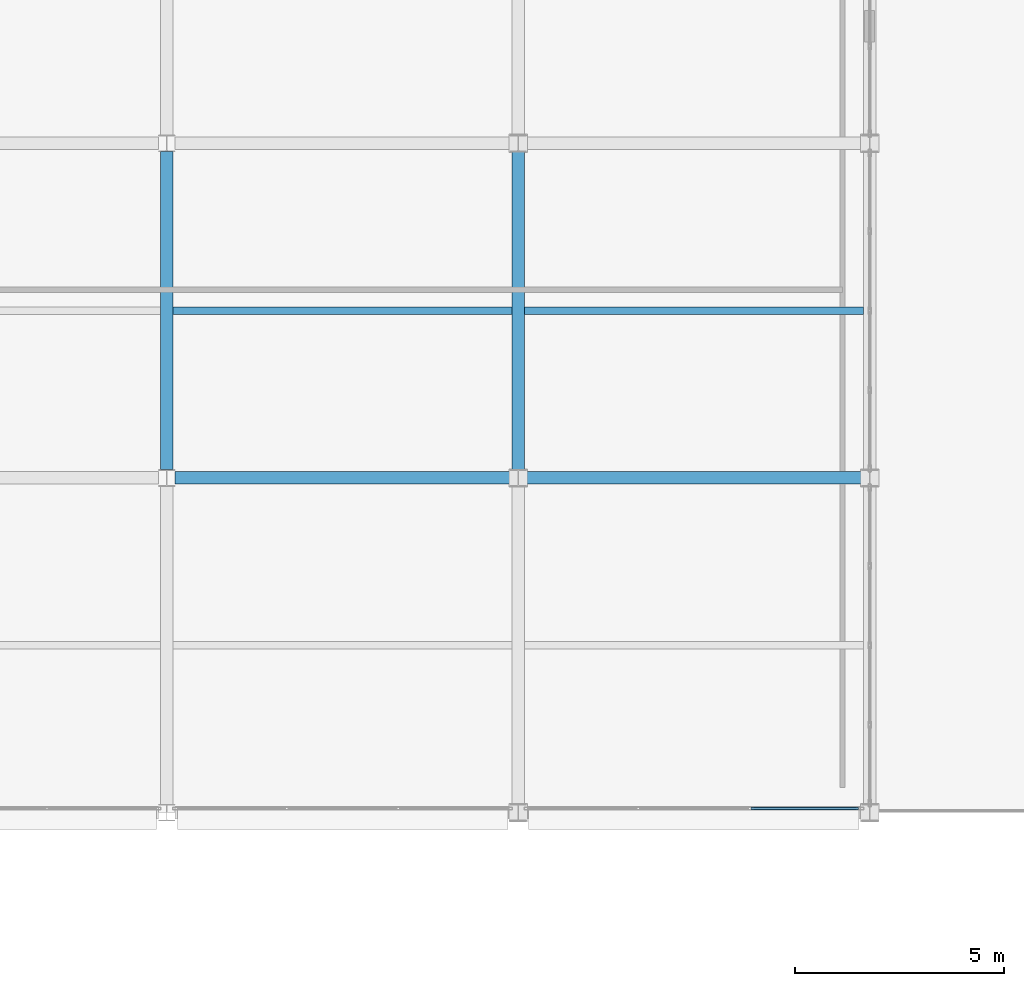
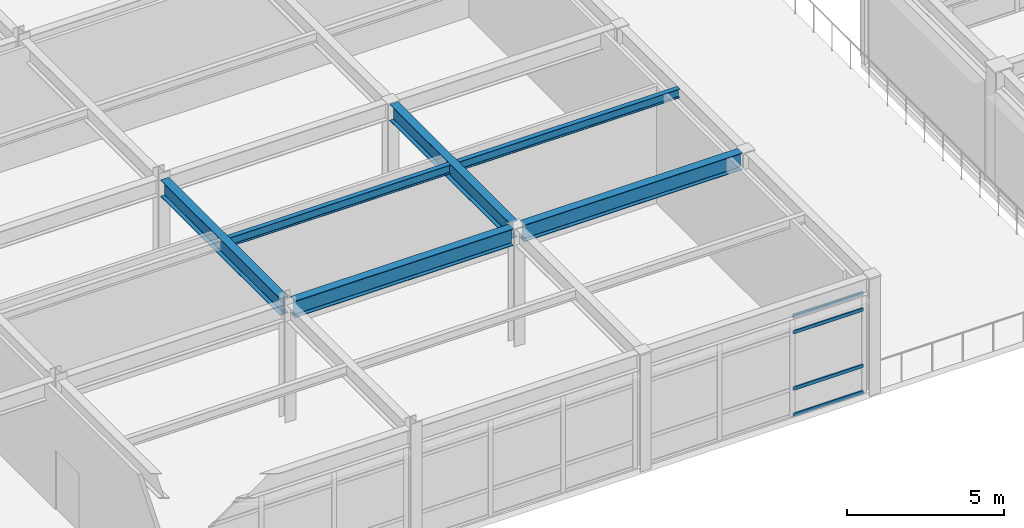
# One storey, part 24 of 93: 6 beams, 4 members, 1 element without a shape of its own.
"""IFC4 building model written with IfcOpenShell, lengths in metres."""

from ifc_helpers import new_model, si_unit, direction, frame, origin, origin_2d, place, context, subcontext, project, spatial, hollow_rectangle, i_section, extrude, material, layer, layer_set, material_profile, profile_set, type_object, element, aggregate, save


model = new_model("IFC4")

# Units and contexts
model_context = context("Model", 3, precision=1e-05, world=origin(), true_north=direction((0.0, 1.0)))
body_context = subcontext(model_context, "Body", "Model", "MODEL_VIEW")
ifc_project = project(units=[si_unit("LENGTHUNIT", "METRE"), si_unit("AREAUNIT", "SQUARE_METRE"), si_unit("VOLUMEUNIT", "CUBIC_METRE"), si_unit("PLANEANGLEUNIT", "RADIAN"), si_unit("MASSUNIT", "GRAM", prefix="KILO")], contexts=[model_context])

# Site, building, storey
site_placement = place(None, origin())
site = spatial("IfcSite", under=ifc_project, at=site_placement, CompositionType="ELEMENT")
building_placement = place(site_placement, origin())
building = spatial("IfcBuilding", under=site, at=building_placement, Name="Kazehara Bluff Congress Hotel", CompositionType="ELEMENT")
storey_placement = place(building_placement, frame((0.0, 0.0, 15.0)))
storey = spatial("IfcBuildingStorey", under=building, at=storey_placement, Name="L03", CompositionType="ELEMENT", Elevation=15.0)

# Curtain wall, members
ifc_material_1 = material(Name="Anodised aluminium", Category="aluminium")
ifc_layer = layer(ifc_material_1, 0.159912109375)
ifc_layer_set = layer_set([ifc_layer], Name="Anodised aluminium")
curtain_wall_type = type_object("IfcCurtainWallType", Name="TP-CW-143", PredefinedType="NOTDEFINED", material=ifc_layer_set)
curtain_wall_placement = place(storey_placement, origin())
curtain_wall = element("IfcCurtainWall", 1, at=curtain_wall_placement, inside=storey, type_object=curtain_wall_type, Name="L03 curtain wall CW-143 CW-ENC-V4-L03-9705-1610", PredefinedType="NOTDEFINED")
ifc_material_2 = material(Name="Anodised aluminium", Category="aluminium")
ifc_material_profile_1 = material_profile(ifc_material_2, hollow_rectangle(XDim=0.06494140625, YDim=0.139892578125, WallThickness=0.00390625, InnerFilletRadius=0.00390625, OuterFilletRadius=0.008056640625, at=origin_2d()))
ifc_profile_set_1 = profile_set([ifc_material_profile_1], Name="Anodised aluminium")
member_type = type_object("IfcMemberType", Name="TP-CWT-02", PredefinedType="USERDEFINED", material=ifc_profile_set_1)
member_1_placement = place(storey_placement, frame((100.985107421875, 16.10009765625, 0.032470703125), z_axis=(-1.0, 0.0, 0.0), x_axis=(0.0, -1.0, 0.0)))
member_1 = element("IfcMember", 2, at=member_1_placement, type_object=member_type, Name="CW-143 transom 1.1", ObjectType="TRANSOM", PredefinedType="USERDEFINED", context=body_context, shape_type="SweptSolid", body=[
    extrude(hollow_rectangle(XDim=0.06494140625, YDim=0.139892578125, WallThickness=0.00390625, InnerFilletRadius=0.00390625, OuterFilletRadius=0.008056640625, at=origin_2d()), origin(), (0.0, 0.0, 1.0), 2.5693359375),
])
member_2_placement = place(storey_placement, frame((100.985107421875, 16.10009765625, 1.050048828125), z_axis=(-1.0, 0.0, 0.0), x_axis=(0.0, -1.0, 0.0)))
member_2 = element("IfcMember", 3, at=member_2_placement, type_object=member_type, Name="CW-143 transom 1.2", ObjectType="TRANSOM", PredefinedType="USERDEFINED", context=body_context, shape_type="SweptSolid", body=[
    extrude(hollow_rectangle(XDim=0.06494140625, YDim=0.139892578125, WallThickness=0.00390625, InnerFilletRadius=0.00390625, OuterFilletRadius=0.008056640625, at=origin_2d()), origin(), (0.0, 0.0, 1.0), 2.5693359375),
])
member_3_placement = place(storey_placement, frame((100.985107421875, 16.10009765625, 3.235107421875), z_axis=(-1.0, 0.0, 0.0), x_axis=(0.0, -1.0, 0.0)))
member_3 = element("IfcMember", 4, at=member_3_placement, type_object=member_type, Name="CW-143 transom 1.3", ObjectType="TRANSOM", PredefinedType="USERDEFINED", context=body_context, shape_type="SweptSolid", body=[
    extrude(hollow_rectangle(XDim=0.06494140625, YDim=0.139892578125, WallThickness=0.00390625, InnerFilletRadius=0.00390625, OuterFilletRadius=0.008056640625, at=origin_2d()), origin(), (0.0, 0.0, 1.0), 2.5693359375),
])
member_4_placement = place(storey_placement, frame((100.985107421875, 16.10009765625, 3.8525390625), z_axis=(-1.0, 0.0, 0.0), x_axis=(0.0, -1.0, 0.0)))
member_4 = element("IfcMember", 5, at=member_4_placement, type_object=member_type, Name="CW-143 transom 1.4", ObjectType="TRANSOM", PredefinedType="USERDEFINED", context=body_context, shape_type="SweptSolid", body=[
    extrude(hollow_rectangle(XDim=0.06494140625, YDim=0.139892578125, WallThickness=0.00390625, InnerFilletRadius=0.00390625, OuterFilletRadius=0.008056640625, at=origin_2d()), origin(), (0.0, 0.0, 1.0), 2.5693359375),
])
aggregate(curtain_wall, [member_1, member_2, member_3, member_4])

# Beams
ifc_material_3 = material(Name="Steel SN490B", Category="steel")
ifc_material_profile_2 = material_profile(ifc_material_3, i_section(OverallWidth=0.300048828125, OverallDepth=0.64990234375, WebThickness=0.011962890625, FlangeThickness=0.02001953125, FilletRadius=0.012939453125, at=origin_2d()))
ifc_profile_set_2 = profile_set([ifc_material_profile_2], Name="Steel SN490B")
beam_type_1 = type_object("IfcBeamType", Name="TP-G-03", PredefinedType="BEAM", material=ifc_profile_set_2)
for number, where, z_axis, x_axis, name in (
    (6, (84.449951171875, 24.199951171875, 4.235107421875), (0.0, 1.0, 0.0), (-1.0, 0.0, 0.0), "L03 girder G-03 58"),
    (7, (92.85009765625, 24.199951171875, 4.235107421875), (0.0, 1.0, 0.0), (-1.0, 0.0, 0.0), "L03 girder G-03 62"),
):
    element("IfcBeam", number, at=place(storey_placement, frame(where, z_axis=z_axis, x_axis=x_axis)), inside=storey, type_object=beam_type_1, Name=name, PredefinedType="BEAM", context=body_context, shape_type="SweptSolid", body=[
        extrude(i_section(OverallWidth=0.300048828125, OverallDepth=0.64990234375, WebThickness=0.011962890625, FlangeThickness=0.02001953125, FilletRadius=0.012939453125, at=origin_2d()), origin(), (0.0, 0.0, 1.0), 7.60009765625),
    ])
for number, where, z_axis, x_axis, name in (
    (8, (84.64990234375, 24.0, 4.235107421875), (1.0, 0.0, 0.0), (0.0, 1.0, 0.0), "L03 girder G-03 81"),
    (9, (93.050048828125, 24.0, 4.235107421875), (1.0, 0.0, 0.0), (0.0, 1.0, 0.0), "L03 girder G-03 82"),
):
    element("IfcBeam", number, at=place(storey_placement, frame(where, z_axis=z_axis, x_axis=x_axis)), inside=storey, type_object=beam_type_1, Name=name, PredefinedType="BEAM", context=body_context, shape_type="SweptSolid", body=[
        extrude(i_section(OverallWidth=0.300048828125, OverallDepth=0.64990234375, WebThickness=0.011962890625, FlangeThickness=0.02001953125, FilletRadius=0.012939453125, at=origin_2d()), origin(), (0.0, 0.0, 1.0), 8.0),
    ])
ifc_material_4 = material(Name="Steel SN400B", Category="steel")
ifc_material_profile_3 = material_profile(ifc_material_4, i_section(OverallWidth=0.175048828125, OverallDepth=0.35009765625, WebThickness=0.007080078125, FlangeThickness=0.010986328125, FilletRadius=0.012939453125, at=origin_2d()))
ifc_profile_set_3 = profile_set([ifc_material_profile_3], Name="Steel SN400B")
beam_type_2 = type_object("IfcBeamType", Name="TP-J-02", PredefinedType="JOIST", material=ifc_profile_set_3)
beam_1_placement = place(storey_placement, frame((84.60009765625, 28.0, 4.385009765625), z_axis=(1.0, 0.0, 0.0), x_axis=(0.0, 1.0, 0.0)))
element("IfcBeam", 10, at=beam_1_placement, inside=storey, type_object=beam_type_2, Name="L03 secondary joist J-02 14", PredefinedType="JOIST", context=body_context, shape_type="SweptSolid", body=[
    extrude(i_section(OverallWidth=0.175048828125, OverallDepth=0.35009765625, WebThickness=0.007080078125, FlangeThickness=0.010986328125, FilletRadius=0.012939453125, at=origin_2d()), origin(), (0.0, 0.0, 1.0), 8.099853515625),
])
beam_2_placement = place(storey_placement, frame((93.0, 28.0, 4.385009765625), z_axis=(1.0, 0.0, 0.0), x_axis=(0.0, 1.0, 0.0)))
element("IfcBeam", 11, at=beam_2_placement, inside=storey, type_object=beam_type_2, Name="L03 secondary joist J-02 18", PredefinedType="JOIST", context=body_context, shape_type="SweptSolid", body=[
    extrude(i_section(OverallWidth=0.175048828125, OverallDepth=0.35009765625, WebThickness=0.007080078125, FlangeThickness=0.010986328125, FilletRadius=0.012939453125, at=origin_2d()), origin(), (0.0, 0.0, 1.0), 8.10009765625),
])

save(model, "model.ifc")
